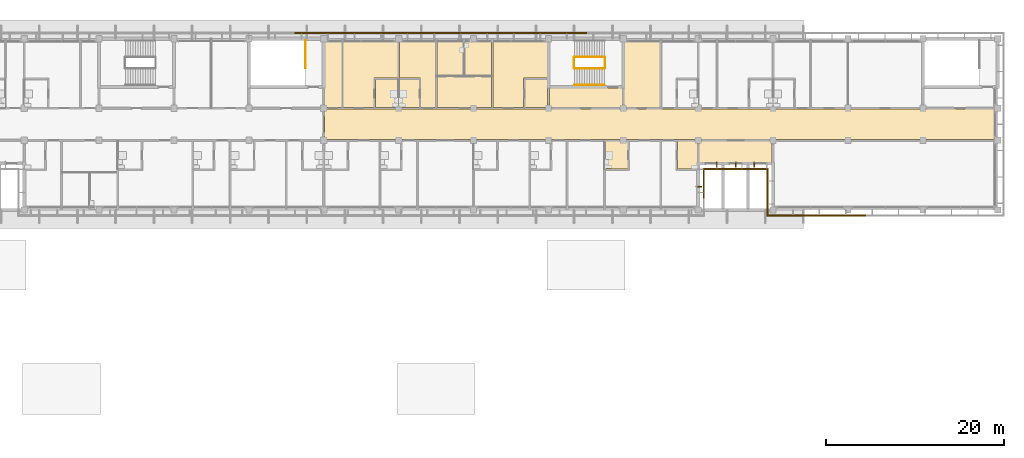
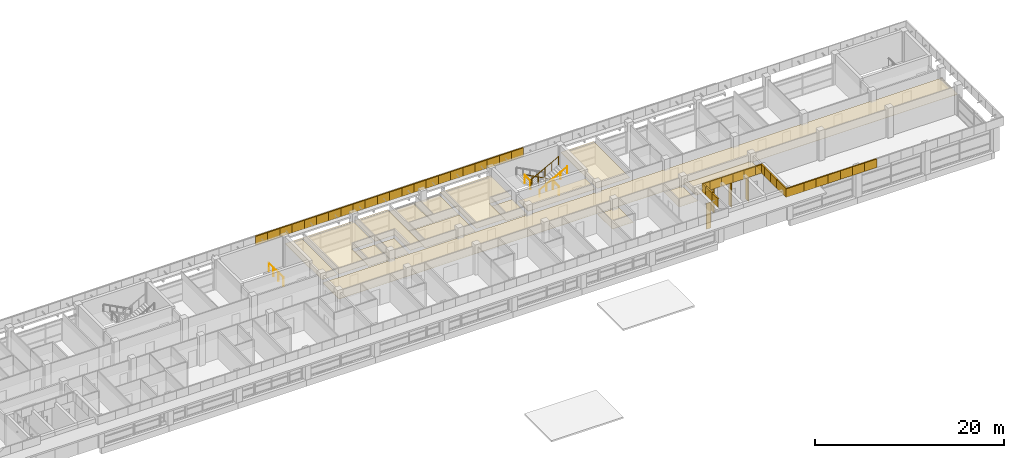
# One storey, part 34 of 36: 58 coverings, 6 railings, 4 shading devices.
"""IFC4 building model written with IfcOpenShell, lengths in metres."""

import ifcopenshell
import ifcopenshell.guid

model = None  # the IFC model being written
_history = None  # IfcOwnerHistory: only IFC2X3 demands one
_inside = {}  # id of a spatial element -> (the spatial element, [elements in it])
_under = {}  # id of a project, library or spatial element -> (it, [spatial elements below it])
_declared = {}  # id of a project -> (the project, [libraries it declares])
_typed = {}  # id of a type object -> (the type object, [elements of that type])
_made_of = {}  # id of a material, layer set ... -> (it, [elements and type objects made of it])


def new_model(schema):
    """Start an empty IFC model of exactly this schema.

    Asked for "IFC4X3", IfcOpenShell would pick the latest addendum, in which some entities
    have other attributes; the version numbers below select the first issue.
    IFC2X3 requires an IfcOwnerHistory on every rooted entity: one is made here for all.
    """
    global model, _history
    if schema == "IFC4X3":
        model = ifcopenshell.file(schema_version=(4, 3, 0, 0))
    else:
        model = ifcopenshell.file(schema=schema)
    _inside.clear()
    _under.clear()
    _declared.clear()
    _typed.clear()
    _made_of.clear()
    _history = None
    if model.schema == "IFC2X3":
        org = make("IfcOrganization", Name="unknown")
        user = make(
            "IfcPersonAndOrganization",
            ThePerson=make("IfcPerson", FamilyName="unknown"),
            TheOrganization=org,
        )
        app = make(
            "IfcApplication",
            ApplicationDeveloper=org,
            Version="unknown",
            ApplicationFullName="unknown",
            ApplicationIdentifier="unknown",
        )
        _history = make(
            "IfcOwnerHistory",
            OwningUser=user,
            OwningApplication=app,
            ChangeAction="ADDED",
            CreationDate=0,
        )
    return model


def make(cls, **values):
    """One entity of the class cls with the attributes given. An attribute that is None is left unset."""
    return model.create_entity(
        cls, **{name: value for name, value in values.items() if value is not None}
    )


def rooted(cls, **values):
    """An entity with a GlobalId (a new one), such as an element, a storey or a relation."""
    return make(cls, GlobalId=ifcopenshell.guid.new(), OwnerHistory=_history, **values)


def si_unit(unit_type, name, prefix=None):
    """IfcSIUnit, for example si_unit("LENGTHUNIT", "METRE", prefix="MILLI")."""
    return make("IfcSIUnit", UnitType=unit_type, Prefix=prefix, Name=name)


def assignment(units):
    """IfcUnitAssignment: the units of a project."""
    return None if units is None else make("IfcUnitAssignment", Units=units)


def point(xyz):
    """IfcCartesianPoint."""
    return None if xyz is None else make("IfcCartesianPoint", Coordinates=xyz)


def direction(xyz):
    """IfcDirection."""
    return None if xyz is None else make("IfcDirection", DirectionRatios=xyz)


def frame(location, z_axis=None, x_axis=None):
    """IfcAxis2Placement3D, a coordinate frame: its origin and axes. An axis left out is left unset."""
    return make(
        "IfcAxis2Placement3D",
        Location=point(location),
        Axis=direction(z_axis),
        RefDirection=direction(x_axis),
    )


def frame_2d(location, x_axis=None):
    """IfcAxis2Placement2D, a coordinate frame in the plane: its origin and x axis."""
    return make(
        "IfcAxis2Placement2D", Location=point(location), RefDirection=direction(x_axis)
    )


def origin():
    """The frame at (0, 0, 0) with its axes left unset."""
    return frame((0.0, 0.0, 0.0))


def origin_2d():
    """The frame at (0, 0) in the plane with its x axis left unset."""
    return frame_2d((0.0, 0.0))


def place(relative_to, where):
    """IfcLocalPlacement: puts the frame where relative to a parent placement (None: the world)."""
    return make(
        "IfcLocalPlacement", PlacementRelTo=relative_to, RelativePlacement=where
    )


def context(
    kind, dimensions, precision=None, world=None, true_north=None, identifier=None
):
    """IfcGeometricRepresentationContext, for example the 3D "Model" context."""
    return make(
        "IfcGeometricRepresentationContext",
        ContextIdentifier=identifier,
        ContextType=kind,
        CoordinateSpaceDimension=dimensions,
        Precision=precision,
        WorldCoordinateSystem=world,
        TrueNorth=true_north,
    )


def subcontext(parent, identifier, kind, view, scale=None):
    """IfcGeometricRepresentationSubContext, for example "Body" below "Model"."""
    return make(
        "IfcGeometricRepresentationSubContext",
        ContextIdentifier=identifier,
        ContextType=kind,
        ParentContext=parent,
        TargetScale=scale,
        TargetView=view,
    )


def project(units=None, contexts=None):
    """IfcProject with its units and contexts."""
    return rooted(
        "IfcProject",
        Name="project",
        RepresentationContexts=contexts,
        UnitsInContext=assignment(units),
    )


def spatial(cls, under=None, at=None, **own):
    """A site, building, storey or space (cls), placed at a placement, below another one or the project."""
    s = rooted(cls, ObjectPlacement=at, **own)
    if under is not None:
        _under.setdefault(under.id(), (under, []))[1].append(s)
    return s


def polyline(points):
    """IfcPolyline through the points."""
    return make("IfcPolyline", Points=[point(p) for p in points])


def profile(cls, at=None, kind="AREA", **sizes):
    """A parametric profile (cls). Its sizes go by their IFC names, for example OverallWidth=200.0."""
    return make(cls, ProfileType=kind, Position=at, **sizes)


def rectangle(**sizes):
    """IfcRectangleProfileDef."""
    return profile("IfcRectangleProfileDef", **sizes)


def circle(**sizes):
    """IfcCircleProfileDef."""
    return profile("IfcCircleProfileDef", **sizes)


def outline(outer, holes=None, kind="AREA"):
    """IfcArbitraryClosedProfileDef: a profile drawn as a closed curve; with holes, ...WithVoids."""
    if holes is None:
        return make("IfcArbitraryClosedProfileDef", ProfileType=kind, OuterCurve=outer)
    return make(
        "IfcArbitraryProfileDefWithVoids",
        ProfileType=kind,
        OuterCurve=outer,
        InnerCurves=holes,
    )


def extrude(swept, where, along, depth):
    """IfcExtrudedAreaSolid: the profile swept, set in the frame where, extruded along a direction by depth."""
    return make(
        "IfcExtrudedAreaSolid",
        SweptArea=swept,
        Position=where,
        ExtrudedDirection=direction(along),
        Depth=depth,
    )


def shape(context_of_items, identifier, shape_type, items):
    """IfcShapeRepresentation: the items that make up one representation, for example the "Body"."""
    return make(
        "IfcShapeRepresentation",
        ContextOfItems=context_of_items,
        RepresentationIdentifier=identifier,
        RepresentationType=shape_type,
        Items=items,
    )


def material(Name=None, Category=None):
    """IfcMaterial."""
    return make("IfcMaterial", Name=Name, Category=Category)


def layer(
    of_material, thickness, ventilated=None, Name=None, Category=None, Priority=None
):
    """IfcMaterialLayer: one layer of a wall or slab, of a material (None: an air gap)."""
    return make(
        "IfcMaterialLayer",
        Material=of_material,
        LayerThickness=thickness,
        IsVentilated=ventilated,
        Name=Name,
        Category=Category,
        Priority=Priority,
    )


def layer_set(layers, Name=None):
    """IfcMaterialLayerSet."""
    return make("IfcMaterialLayerSet", MaterialLayers=layers, LayerSetName=Name)


def material_profile(
    of_material, cross_section, Name=None, Category=None, Priority=None
):
    """IfcMaterialProfile: a cross section and its material."""
    return make(
        "IfcMaterialProfile",
        Name=Name,
        Material=of_material,
        Profile=cross_section,
        Priority=Priority,
        Category=Category,
    )


def profile_set(profiles, Name=None, composite=None):
    """IfcMaterialProfileSet."""
    return make(
        "IfcMaterialProfileSet",
        Name=Name,
        MaterialProfiles=profiles,
        CompositeProfile=composite,
    )


def made_of(thing, what):
    """Note that an element or type object is made of a material, layer set ...; save() writes the relation."""
    if what is not None:
        _made_of.setdefault(what.id(), (what, []))[1].append(thing)
    return thing


def type_object(cls, material=None, **own):
    """A type object (cls), such as IfcWallType, which elements share."""
    return made_of(rooted(cls, **own), material)


def element(
    cls,
    number,
    at=None,
    inside=None,
    cuts=None,
    type_object=None,
    material=None,
    context=None,
    identifier="Body",
    shape_type=None,
    held_by="IfcProductDefinitionShape",
    body=None,
    shapes=None,
    **own,
):
    """One element of the class cls, such as IfcWall. Its Tag is "e" and its number.

    at: its placement. inside: the storey or other place that contains it. cuts: it is an
    opening in that element (IfcRelVoidsElement). A single representation is given by context,
    identifier, shape_type and body (its items); several are given by shapes. held_by: the class
    of the entity that holds the representations. save() writes the other relations.
    """
    e = rooted(cls, Tag="e%d" % number, ObjectPlacement=at, **own)
    if body is not None:
        shapes = [shape(context, identifier, shape_type, body)]
    if shapes is not None:
        e.Representation = make(held_by, Representations=shapes)
    if inside is not None:
        _inside.setdefault(inside.id(), (inside, []))[1].append(e)
    if cuts is not None:
        rooted(
            "IfcRelVoidsElement", RelatingBuildingElement=cuts, RelatedOpeningElement=e
        )
    if type_object is not None:
        _typed.setdefault(type_object.id(), (type_object, []))[1].append(e)
    return made_of(e, material)


def aggregate(whole, parts):
    """IfcRelAggregates: a whole, such as a stair, and the parts it consists of."""
    return rooted("IfcRelAggregates", RelatingObject=whole, RelatedObjects=parts)


def save(model, path):
    """Write the relations noted so far, then the file.

    IfcRelAggregates (storeys below a building ...), IfcRelContainedInSpatialStructure (elements
    in a storey), IfcRelDefinesByType, IfcRelAssociatesMaterial and IfcRelDeclares: one each for
    every whole, place, type object, material and project.
    """
    for whole, parts in _under.values():
        aggregate(whole, parts)
    for where, things in _inside.values():
        rooted(
            "IfcRelContainedInSpatialStructure",
            RelatedElements=things,
            RelatingStructure=where,
        )
    for kind, things in _typed.values():
        rooted("IfcRelDefinesByType", RelatedObjects=things, RelatingType=kind)
    for what, things in _made_of.values():
        rooted("IfcRelAssociatesMaterial", RelatedObjects=things, RelatingMaterial=what)
    for by, libraries in _declared.values():
        rooted("IfcRelDeclares", RelatingContext=by, RelatedDefinitions=libraries)
    model.write(path)


model = new_model("IFC4")

# Units and contexts
model_context = context("Model", 3, precision=1e-05, world=origin(), true_north=direction((0.0, 1.0)))
body_context = subcontext(model_context, "Body", "Model", "MODEL_VIEW")
ifc_project = project(units=[si_unit("LENGTHUNIT", "METRE"), si_unit("AREAUNIT", "SQUARE_METRE"), si_unit("VOLUMEUNIT", "CUBIC_METRE"), si_unit("PLANEANGLEUNIT", "RADIAN"), si_unit("MASSUNIT", "GRAM", prefix="KILO")], contexts=[model_context])

# Site, building, storey
site_placement = place(None, origin())
site = spatial("IfcSite", under=ifc_project, at=site_placement, CompositionType="ELEMENT")
building_placement = place(site_placement, origin())
building = spatial("IfcBuilding", under=site, at=building_placement, Name="Bougainvillea Quay General Hospital", CompositionType="ELEMENT")
storey_placement = place(building_placement, frame((0.0, 0.0, 32.699951171875)))
storey = spatial("IfcBuildingStorey", under=building, at=storey_placement, Name="L07", CompositionType="ELEMENT", Elevation=32.699951171875)

# Coverings
ifc_material_1 = material(Name="Powder-coated aluminium fascia, white", Category="aluminium")
ifc_layer_1 = layer(ifc_material_1, 0.14990234375)
ifc_layer_set_1 = layer_set([ifc_layer_1], Name="Powder-coated aluminium fascia, white")
covering_type_1 = type_object("IfcCoveringType", Name="Aluminium fascia band white 150x1100", PredefinedType="CLADDING", material=ifc_layer_set_1)
for number, where, z_axis, x_axis, name in (
    (1, (138.6875, 160.14990234375, 3.35009765625), (0.0, 0.0, 1.0), (-1.0, 0.0, 0.0), "Fascia band white e0 32"),
    (2, (137.199951171875, 160.14990234375, 3.35009765625), (0.0, 0.0, 1.0), (-1.0, 0.0, 0.0), "Fascia band white e0 33"),
):
    element("IfcCovering", number, at=place(storey_placement, frame(where, z_axis=z_axis, x_axis=x_axis)), inside=storey, type_object=covering_type_1, Name=name, PredefinedType="CLADDING", context=body_context, shape_type="SweptSolid", body=[
        extrude(outline(polyline([(0.0, 0.0), (1.487548828125, 0.0), (1.487548828125, -0.150146484375), (0.0, -0.150146484375), (0.0, 0.0)])), origin(), (0.0, 0.0, 1.0), 1.10009765625),
    ])
covering_1_placement = place(storey_placement, frame((135.71240234375, 160.14990234375, 3.35009765625), z_axis=(0.0, 0.0, 1.0), x_axis=(-1.0, 0.0, 0.0)))
element("IfcCovering", 3, at=covering_1_placement, inside=storey, type_object=covering_type_1, Name="Fascia band white e0 34", PredefinedType="CLADDING", context=body_context, shape_type="SweptSolid", body=[
    extrude(outline(polyline([(0.0, 0.0), (1.4873046875, 0.0), (1.4873046875, -0.150146484375), (0.0, -0.150146484375), (0.0, 0.0)])), origin(), (0.0, 0.0, 1.0), 1.10009765625),
])
for number, where, z_axis, x_axis, name in (
    (4, (134.22509765625, 160.14990234375, 3.35009765625), (0.0, 0.0, 1.0), (-1.0, 0.0, 0.0), "Fascia band white e0 35"),
    (5, (132.737548828125, 160.14990234375, 3.35009765625), (0.0, 0.0, 1.0), (-1.0, 0.0, 0.0), "Fascia band white e0 36"),
    (6, (131.25, 160.14990234375, 3.35009765625), (0.0, 0.0, 1.0), (-1.0, 0.0, 0.0), "Fascia band white e0 37"),
    (7, (129.762451171875, 160.14990234375, 3.35009765625), (0.0, 0.0, 1.0), (-1.0, 0.0, 0.0), "Fascia band white e0 38"),
):
    element("IfcCovering", number, at=place(storey_placement, frame(where, z_axis=z_axis, x_axis=x_axis)), inside=storey, type_object=covering_type_1, Name=name, PredefinedType="CLADDING", context=body_context, shape_type="SweptSolid", body=[
        extrude(outline(polyline([(0.0, 0.0), (1.487548828125, 0.0), (1.487548828125, -0.150146484375), (0.0, -0.150146484375), (0.0, 0.0)])), origin(), (0.0, 0.0, 1.0), 1.10009765625),
    ])
covering_2_placement = place(storey_placement, frame((128.27490234375, 160.14990234375, 3.35009765625), z_axis=(0.0, 0.0, 1.0), x_axis=(-1.0, 0.0, 0.0)))
element("IfcCovering", 8, at=covering_2_placement, inside=storey, type_object=covering_type_1, Name="Fascia band white e0 39", PredefinedType="CLADDING", context=body_context, shape_type="SweptSolid", body=[
    extrude(outline(polyline([(0.0, 0.0), (1.4873046875, 0.0), (1.4873046875, -0.150146484375), (0.0, -0.150146484375), (0.0, 0.0)])), origin(), (0.0, 0.0, 1.0), 1.10009765625),
])
for number, where, z_axis, x_axis, name in (
    (9, (126.78759765625, 160.14990234375, 3.35009765625), (0.0, 0.0, 1.0), (-1.0, 0.0, 0.0), "Fascia band white e0 40"),
    (10, (125.300048828125, 160.14990234375, 3.35009765625), (0.0, 0.0, 1.0), (-1.0, 0.0, 0.0), "Fascia band white e0 41"),
    (11, (123.8125, 160.14990234375, 3.35009765625), (0.0, 0.0, 1.0), (-1.0, 0.0, 0.0), "Fascia band white e0 42"),
    (12, (122.324951171875, 160.14990234375, 3.35009765625), (0.0, 0.0, 1.0), (-1.0, 0.0, 0.0), "Fascia band white e0 43"),
):
    element("IfcCovering", number, at=place(storey_placement, frame(where, z_axis=z_axis, x_axis=x_axis)), inside=storey, type_object=covering_type_1, Name=name, PredefinedType="CLADDING", context=body_context, shape_type="SweptSolid", body=[
        extrude(outline(polyline([(0.0, 0.0), (1.487548828125, 0.0), (1.487548828125, -0.150146484375), (0.0, -0.150146484375), (0.0, 0.0)])), origin(), (0.0, 0.0, 1.0), 1.10009765625),
    ])
covering_3_placement = place(storey_placement, frame((120.83740234375, 160.14990234375, 3.35009765625), z_axis=(0.0, 0.0, 1.0), x_axis=(-1.0, 0.0, 0.0)))
element("IfcCovering", 13, at=covering_3_placement, inside=storey, type_object=covering_type_1, Name="Fascia band white e0 44", PredefinedType="CLADDING", context=body_context, shape_type="SweptSolid", body=[
    extrude(outline(polyline([(0.0, 0.0), (1.4873046875, 0.0), (1.4873046875, -0.150146484375), (0.0, -0.150146484375), (0.0, 0.0)])), origin(), (0.0, 0.0, 1.0), 1.10009765625),
])
for number, where, z_axis, x_axis, name in (
    (14, (119.35009765625, 160.14990234375, 3.35009765625), (0.0, 0.0, 1.0), (-1.0, 0.0, 0.0), "Fascia band white e0 45"),
    (15, (117.862548828125, 160.14990234375, 3.35009765625), (0.0, 0.0, 1.0), (-1.0, 0.0, 0.0), "Fascia band white e0 46"),
    (16, (116.375, 160.14990234375, 3.35009765625), (0.0, 0.0, 1.0), (-1.0, 0.0, 0.0), "Fascia band white e0 47"),
    (17, (114.887451171875, 160.14990234375, 3.35009765625), (0.0, 0.0, 1.0), (-1.0, 0.0, 0.0), "Fascia band white e0 48"),
):
    element("IfcCovering", number, at=place(storey_placement, frame(where, z_axis=z_axis, x_axis=x_axis)), inside=storey, type_object=covering_type_1, Name=name, PredefinedType="CLADDING", context=body_context, shape_type="SweptSolid", body=[
        extrude(outline(polyline([(0.0, 0.0), (1.487548828125, 0.0), (1.487548828125, -0.150146484375), (0.0, -0.150146484375), (0.0, 0.0)])), origin(), (0.0, 0.0, 1.0), 1.10009765625),
    ])
covering_4_placement = place(storey_placement, frame((113.39990234375, 160.14990234375, 3.35009765625), z_axis=(0.0, 0.0, 1.0), x_axis=(-1.0, 0.0, 0.0)))
element("IfcCovering", 18, at=covering_4_placement, inside=storey, type_object=covering_type_1, Name="Fascia band white e0 49", PredefinedType="CLADDING", context=body_context, shape_type="SweptSolid", body=[
    extrude(outline(polyline([(0.0, 0.0), (1.4873046875, 0.0), (1.4873046875, -0.150146484375), (0.0, -0.150146484375), (0.0, 0.0)])), origin(), (0.0, 0.0, 1.0), 1.10009765625),
])
for number, where, z_axis, x_axis, name in (
    (19, (111.91259765625, 160.14990234375, 3.35009765625), (0.0, 0.0, 1.0), (-1.0, 0.0, 0.0), "Fascia band white e0 50"),
    (20, (110.425048828125, 160.14990234375, 3.35009765625), (0.0, 0.0, 1.0), (-1.0, 0.0, 0.0), "Fascia band white e0 51"),
    (21, (108.9375, 160.14990234375, 3.35009765625), (0.0, 0.0, 1.0), (-1.0, 0.0, 0.0), "Fascia band white e0 52"),
    (22, (107.449951171875, 160.14990234375, 3.35009765625), (0.0, 0.0, 1.0), (-1.0, 0.0, 0.0), "Fascia band white e0 53"),
):
    element("IfcCovering", number, at=place(storey_placement, frame(where, z_axis=z_axis, x_axis=x_axis)), inside=storey, type_object=covering_type_1, Name=name, PredefinedType="CLADDING", context=body_context, shape_type="SweptSolid", body=[
        extrude(outline(polyline([(0.0, 0.0), (1.487548828125, 0.0), (1.487548828125, -0.150146484375), (0.0, -0.150146484375), (0.0, 0.0)])), origin(), (0.0, 0.0, 1.0), 1.10009765625),
    ])
for number, where, z_axis, x_axis, name in (
    (23, (151.75, 141.699951171875, 3.35009765625), (0.0, 0.0, 1.0), (0.0, 1.0, 0.0), "Fascia band white e0 193"),
    (24, (151.75, 143.0, 3.35009765625), (0.0, 0.0, 1.0), (0.0, 1.0, 0.0), "Fascia band white e0 194"),
):
    element("IfcCovering", number, at=place(storey_placement, frame(where, z_axis=z_axis, x_axis=x_axis)), inside=storey, type_object=covering_type_1, Name=name, PredefinedType="CLADDING", context=body_context, shape_type="SweptSolid", body=[
        extrude(outline(polyline([(0.0, 0.0), (1.300048828125, 0.0), (1.300048828125, -0.14990234375), (0.0, -0.14990234375), (0.0, 0.0)])), origin(), (0.0, 0.0, 1.0), 1.10009765625),
    ])
covering_5_placement = place(storey_placement, frame((151.75, 144.300048828125, 3.35009765625), z_axis=(0.0, 0.0, 1.0), x_axis=(0.0, 1.0, 0.0)))
element("IfcCovering", 25, at=covering_5_placement, inside=storey, type_object=covering_type_1, Name="Fascia band white e0 195", PredefinedType="CLADDING", context=body_context, shape_type="SweptSolid", body=[
    extrude(outline(polyline([(0.0, 0.0), (0.75, 0.0), (0.599853515625, -0.14990234375), (0.0, -0.14990234375), (0.0, 0.0)])), origin(), (0.0, 0.0, 1.0), 1.10009765625),
])
covering_6_placement = place(storey_placement, frame((151.75, 145.050048828125, 3.35009765625), z_axis=(0.0, 0.0, 1.0), x_axis=(1.0, 0.0, 0.0)))
element("IfcCovering", 26, at=covering_6_placement, inside=storey, type_object=covering_type_1, Name="Fascia band white e0 196", PredefinedType="CLADDING", context=body_context, shape_type="SweptSolid", body=[
    extrude(outline(polyline([(0.0, 0.0), (0.85009765625, 0.0), (0.85009765625, -0.150146484375), (0.14990234375, -0.150146484375), (0.0, 0.0)])), origin(), (0.0, 0.0, 1.0), 1.10009765625),
])
for number, where, z_axis, x_axis, name in (
    (27, (152.60009765625, 145.050048828125, 3.35009765625), (0.0, 0.0, 1.0), (1.0, 0.0, 0.0), "Fascia band white e0 197"),
    (28, (154.0, 145.050048828125, 3.35009765625), (0.0, 0.0, 1.0), (1.0, 0.0, 0.0), "Fascia band white e0 198"),
):
    element("IfcCovering", number, at=place(storey_placement, frame(where, z_axis=z_axis, x_axis=x_axis)), inside=storey, type_object=covering_type_1, Name=name, PredefinedType="CLADDING", context=body_context, shape_type="SweptSolid", body=[
        extrude(outline(polyline([(0.0, 0.0), (1.39990234375, 0.0), (1.39990234375, -0.150146484375), (0.0, -0.150146484375), (0.0, 0.0)])), origin(), (0.0, 0.0, 1.0), 1.10009765625),
    ])
covering_7_placement = place(storey_placement, frame((155.39990234375, 145.050048828125, 3.35009765625), z_axis=(0.0, 0.0, 1.0), x_axis=(1.0, 0.0, 0.0)))
element("IfcCovering", 29, at=covering_7_placement, inside=storey, type_object=covering_type_1, Name="Fascia band white e0 199", PredefinedType="CLADDING", context=body_context, shape_type="SweptSolid", body=[
    extrude(outline(polyline([(0.0, 0.0), (1.400146484375, 0.0), (1.400146484375, -0.150146484375), (0.0, -0.150146484375), (0.0, 0.0)])), origin(), (0.0, 0.0, 1.0), 1.10009765625),
])
covering_8_placement = place(storey_placement, frame((156.800048828125, 145.050048828125, 3.35009765625), z_axis=(0.0, 0.0, 1.0), x_axis=(1.0, 0.0, 0.0)))
element("IfcCovering", 30, at=covering_8_placement, inside=storey, type_object=covering_type_1, Name="Fascia band white e0 200", PredefinedType="CLADDING", context=body_context, shape_type="SweptSolid", body=[
    extrude(outline(polyline([(0.0, 0.0), (1.39990234375, 0.0), (1.39990234375, -0.150146484375), (0.0, -0.150146484375), (0.0, 0.0)])), origin(), (0.0, 0.0, 1.0), 1.10009765625),
])
covering_9_placement = place(storey_placement, frame((158.199951171875, 145.050048828125, 3.35009765625), z_axis=(0.0, 0.0, 1.0), x_axis=(1.0, 0.0, 0.0)))
element("IfcCovering", 31, at=covering_9_placement, inside=storey, type_object=covering_type_1, Name="Fascia band white e0 201", PredefinedType="CLADDING", context=body_context, shape_type="SweptSolid", body=[
    extrude(outline(polyline([(0.0, 0.0), (0.85009765625, 0.0), (0.699951171875, -0.150146484375), (0.0, -0.150146484375), (0.0, 0.0)])), origin(), (0.0, 0.0, 1.0), 1.10009765625),
])
covering_10_placement = place(storey_placement, frame((159.050048828125, 145.050048828125, 3.35009765625), z_axis=(0.0, 0.0, 1.0), x_axis=(0.0, -1.0, 0.0)))
element("IfcCovering", 32, at=covering_10_placement, inside=storey, type_object=covering_type_1, Name="Fascia band white e0 202", PredefinedType="CLADDING", context=body_context, shape_type="SweptSolid", body=[
    extrude(outline(polyline([(0.0, 0.0), (0.75, 0.0), (0.75, -0.150146484375), (0.150146484375, -0.150146484375), (0.0, 0.0)])), origin(), (0.0, 0.0, 1.0), 1.10009765625),
])
for number, where, z_axis, x_axis, name in (
    (33, (159.050048828125, 144.300048828125, 3.35009765625), (0.0, 0.0, 1.0), (0.0, -1.0, 0.0), "Fascia band white e0 203"),
    (34, (159.050048828125, 143.0, 3.35009765625), (0.0, 0.0, 1.0), (0.0, -1.0, 0.0), "Fascia band white e0 204"),
):
    element("IfcCovering", number, at=place(storey_placement, frame(where, z_axis=z_axis, x_axis=x_axis)), inside=storey, type_object=covering_type_1, Name=name, PredefinedType="CLADDING", context=body_context, shape_type="SweptSolid", body=[
        extrude(outline(polyline([(0.0, 0.0), (1.300048828125, 0.0), (1.300048828125, -0.150146484375), (0.0, -0.150146484375), (0.0, 0.0)])), origin(), (0.0, 0.0, 1.0), 1.10009765625),
    ])
covering_11_placement = place(storey_placement, frame((159.050048828125, 141.699951171875, 3.35009765625), z_axis=(0.0, 0.0, 1.0), x_axis=(0.0, -1.0, 0.0)))
element("IfcCovering", 35, at=covering_11_placement, inside=storey, type_object=covering_type_1, Name="Fascia band white e0 205", PredefinedType="CLADDING", context=body_context, shape_type="SweptSolid", body=[
    extrude(outline(polyline([(0.0, 0.0), (1.849853515625, 0.0), (2.0, -0.150146484375), (0.0, -0.150146484375), (0.0, 0.0)])), origin(), (0.0, 0.0, 1.0), 1.10009765625),
])
covering_12_placement = place(storey_placement, frame((159.050048828125, 139.85009765625, 3.35009765625), z_axis=(0.0, 0.0, 1.0), x_axis=(1.0, 0.0, 0.0)))
element("IfcCovering", 36, at=covering_12_placement, inside=storey, type_object=covering_type_1, Name="Fascia band white e0 206", PredefinedType="CLADDING", context=body_context, shape_type="SweptSolid", body=[
    extrude(outline(polyline([(0.0, 0.0), (2.0322265625, 0.0), (2.0322265625, -0.150146484375), (-0.150146484375, -0.150146484375), (0.0, 0.0)])), origin(), (0.0, 0.0, 1.0), 1.10009765625),
])
for number, where, z_axis, x_axis, name in (
    (37, (161.082275390625, 139.85009765625, 3.35009765625), (0.0, 0.0, 1.0), (1.0, 0.0, 0.0), "Fascia band white e0 207"),
    (38, (162.564697265625, 139.85009765625, 3.35009765625), (0.0, 0.0, 1.0), (1.0, 0.0, 0.0), "Fascia band white e0 208"),
):
    element("IfcCovering", number, at=place(storey_placement, frame(where, z_axis=z_axis, x_axis=x_axis)), inside=storey, type_object=covering_type_1, Name=name, PredefinedType="CLADDING", context=body_context, shape_type="SweptSolid", body=[
        extrude(outline(polyline([(0.0, 0.0), (1.482421875, 0.0), (1.482421875, -0.150146484375), (0.0, -0.150146484375), (0.0, 0.0)])), origin(), (0.0, 0.0, 1.0), 1.10009765625),
    ])
covering_13_placement = place(storey_placement, frame((164.047119140625, 139.85009765625, 3.35009765625), z_axis=(0.0, 0.0, 1.0), x_axis=(1.0, 0.0, 0.0)))
element("IfcCovering", 39, at=covering_13_placement, inside=storey, type_object=covering_type_1, Name="Fascia band white e0 209", PredefinedType="CLADDING", context=body_context, shape_type="SweptSolid", body=[
    extrude(outline(polyline([(0.0, 0.0), (1.482177734375, 0.0), (1.482177734375, -0.150146484375), (0.0, -0.150146484375), (0.0, 0.0)])), origin(), (0.0, 0.0, 1.0), 1.10009765625),
])
for number, where, z_axis, x_axis, name in (
    (40, (165.529296875, 139.85009765625, 3.35009765625), (0.0, 0.0, 1.0), (1.0, 0.0, 0.0), "Fascia band white e0 210"),
    (41, (167.01171875, 139.85009765625, 3.35009765625), (0.0, 0.0, 1.0), (1.0, 0.0, 0.0), "Fascia band white e0 211"),
    (42, (168.494140625, 139.85009765625, 3.35009765625), (0.0, 0.0, 1.0), (1.0, 0.0, 0.0), "Fascia band white e0 212"),
):
    element("IfcCovering", number, at=place(storey_placement, frame(where, z_axis=z_axis, x_axis=x_axis)), inside=storey, type_object=covering_type_1, Name=name, PredefinedType="CLADDING", context=body_context, shape_type="SweptSolid", body=[
        extrude(outline(polyline([(0.0, 0.0), (1.482421875, 0.0), (1.482421875, -0.150146484375), (0.0, -0.150146484375), (0.0, 0.0)])), origin(), (0.0, 0.0, 1.0), 1.10009765625),
    ])

# Railings
ifc_material_2 = material(Name="Stainless steel 304 balustrade", Category="steel")
railing_type_1 = type_object("IfcRailingType", Name="Stair guard 1100", PredefinedType="GUARDRAIL", material=ifc_material_2)
railing_1_placement = place(storey_placement, frame((140.699951171875, 157.550048828125, 0.150146484375)))
element("IfcRailing", 43, at=railing_1_placement, inside=storey, type_object=railing_type_1, Name="L07 ST-A3 stair guard 1", PredefinedType="GUARDRAIL", context=body_context, shape_type="SweptSolid", body=[
    extrude(circle(Radius=0.02392578125, at=origin_2d()), frame((0.0, 0.0, 1.076171875), z_axis=(-0.881493300765, 0.0, 0.47219652763), x_axis=(0.0, -1.0, 0.0)), (0.0, 0.0, 1.0), 3.8115234375),
    extrude(circle(Radius=0.02099609375, at=origin_2d()), origin(), (0.0, 0.0, 1.0), 1.052001953125),
    extrude(circle(Radius=0.02099609375, at=origin_2d()), frame((-0.83984375, 0.0, 0.449951171875)), (0.0, 0.0, 1.0), 1.052001953125),
    extrude(circle(Radius=0.02099609375, at=origin_2d()), frame((-1.679931640625, 0.0, 0.89990234375)), (0.0, 0.0, 1.0), 1.052001953125),
    extrude(circle(Radius=0.02099609375, at=origin_2d()), frame((-2.52001953125, 0.0, 1.349853515625)), (0.0, 0.0, 1.0), 1.052001953125),
    extrude(circle(Radius=0.02099609375, at=origin_2d()), frame((-3.35986328125, 0.0, 1.7998046875)), (0.0, 0.0, 1.0), 1.052001953125),
])
railing_2_placement = place(storey_placement, frame((137.2900390625, 157.5, 1.949951171875)))
element("IfcRailing", 44, at=railing_2_placement, inside=storey, type_object=railing_type_1, Name="L07 ST-A3 stair guard 2", PredefinedType="GUARDRAIL", context=body_context, shape_type="SweptSolid", body=[
    extrude(circle(Radius=0.02392578125, at=origin_2d()), frame((0.0, 0.0, 1.076171875), z_axis=(0.0, -1.0, 0.0), x_axis=(1.0, 0.0, 0.0)), (0.0, 0.0, 1.0), 1.199951171875),
    extrude(circle(Radius=0.02099609375, at=origin_2d()), origin(), (0.0, 0.0, 1.0), 1.052001953125),
    extrude(circle(Radius=0.02099609375, at=origin_2d()), frame((0.0, -1.199951171875, 0.0)), (0.0, 0.0, 1.0), 1.052001953125),
])
railing_3_placement = place(storey_placement, frame((137.340087890625, 156.25, 2.10009765625)))
element("IfcRailing", 45, at=railing_3_placement, inside=storey, type_object=railing_type_1, Name="L07 ST-A3 stair guard 3", PredefinedType="GUARDRAIL", context=body_context, shape_type="SweptSolid", body=[
    extrude(circle(Radius=0.02392578125, at=origin_2d()), frame((0.0, 0.0, 1.076171875), z_axis=(0.881466638993, 0.0, 0.472246296272), x_axis=(0.0, 1.0, 0.0)), (0.0, 0.0, 1.0), 3.811767578125),
    extrude(circle(Radius=0.02099609375, at=origin_2d()), origin(), (0.0, 0.0, 1.0), 1.052001953125),
    extrude(circle(Radius=0.02099609375, at=origin_2d()), frame((0.83984375, 0.0, 0.449951171875)), (0.0, 0.0, 1.0), 1.052001953125),
    extrude(circle(Radius=0.02099609375, at=origin_2d()), frame((1.679931640625, 0.0, 0.89990234375)), (0.0, 0.0, 1.0), 1.052001953125),
    extrude(circle(Radius=0.02099609375, at=origin_2d()), frame((2.52001953125, 0.0, 1.35009765625)), (0.0, 0.0, 1.0), 1.052001953125),
    extrude(circle(Radius=0.02099609375, at=origin_2d()), frame((3.35986328125, 0.0, 1.800048828125)), (0.0, 0.0, 1.0), 1.052001953125),
])
railing_4_placement = place(storey_placement, frame((140.75, 157.5, 0.0)))
element("IfcRailing", 46, at=railing_4_placement, inside=storey, type_object=railing_type_1, Name="L07 ST-A3 stair guard 4", PredefinedType="GUARDRAIL", context=body_context, shape_type="SweptSolid", body=[
    extrude(circle(Radius=0.02392578125, at=origin_2d()), frame((0.0, 0.0, 1.076171875), z_axis=(0.0, -1.0, 0.0), x_axis=(1.0, 0.0, 0.0)), (0.0, 0.0, 1.0), 1.199951171875),
    extrude(circle(Radius=0.02099609375, at=origin_2d()), origin(), (0.0, 0.0, 1.0), 1.052001953125),
    extrude(circle(Radius=0.02099609375, at=origin_2d()), frame((0.0, -1.199951171875, 0.0)), (0.0, 0.0, 1.0), 1.052001953125),
])
railing_5_placement = place(storey_placement, frame((107.14990234375, 159.425048828125, 0.0)))
element("IfcRailing", 47, at=railing_5_placement, inside=storey, type_object=railing_type_1, Name="L07 ST-A5 top well guard 1", PredefinedType="GUARDRAIL", context=body_context, shape_type="SweptSolid", body=[
    extrude(circle(Radius=0.02392578125, at=origin_2d()), frame((0.0, 0.0, 1.076171875), z_axis=(0.0, -1.0, 0.0), x_axis=(1.0, 0.0, 0.0)), (0.0, 0.0, 1.0), 3.125),
    extrude(circle(Radius=0.02099609375, at=origin_2d()), origin(), (0.0, 0.0, 1.0), 1.052001953125),
    extrude(circle(Radius=0.02099609375, at=origin_2d()), frame((0.0, -1.041748046875, 0.0)), (0.0, 0.0, 1.0), 1.052001953125),
    extrude(circle(Radius=0.02099609375, at=origin_2d()), frame((0.0, -2.083251953125, 0.0)), (0.0, 0.0, 1.0), 1.052001953125),
    extrude(circle(Radius=0.02099609375, at=origin_2d()), frame((0.0, -3.125, 0.0)), (0.0, 0.0, 1.0), 1.052001953125),
])
ifc_material_3 = material(Name="Stainless steel 304 handrail", Category="steel")
railing_type_2 = type_object("IfcRailingType", Name="Stair handrail 900", PredefinedType="HANDRAIL", material=ifc_material_3)
railing_6_placement = place(storey_placement, frame((137.340087890625, 154.425048828125, 2.10009765625)))
element("IfcRailing", 48, at=railing_6_placement, inside=storey, type_object=railing_type_2, Name="L07 ST-A3 stair handrail 2", PredefinedType="HANDRAIL", context=body_context, shape_type="SweptSolid", body=[
    extrude(circle(Radius=0.02392578125, at=origin_2d()), frame((0.0, 0.0, 0.8759765625), z_axis=(0.881466638993, 0.0, 0.472246296272), x_axis=(0.0, 1.0, 0.0)), (0.0, 0.0, 1.0), 3.811767578125),
    extrude(circle(Radius=0.02099609375, at=origin_2d()), origin(), (0.0, 0.0, 1.0), 0.851806640625),
    extrude(circle(Radius=0.02099609375, at=origin_2d()), frame((0.83984375, 0.0, 0.449951171875)), (0.0, 0.0, 1.0), 0.851806640625),
    extrude(circle(Radius=0.02099609375, at=origin_2d()), frame((1.679931640625, 0.0, 0.89990234375)), (0.0, 0.0, 1.0), 0.851806640625),
    extrude(circle(Radius=0.02099609375, at=origin_2d()), frame((2.52001953125, 0.0, 1.35009765625)), (0.0, 0.0, 1.0), 0.851806640625),
    extrude(circle(Radius=0.02099609375, at=origin_2d()), frame((3.35986328125, 0.0, 1.800048828125)), (0.0, 0.0, 1.0), 0.851806640625),
])

# Coverings
ifc_material_4 = material(Name="Mineral fibre ceiling tile")
ifc_layer_2 = layer(ifc_material_4, 0.030029296875)
ifc_layer_set_2 = layer_set([ifc_layer_2], Name="Mineral fibre ceiling tile")
covering_type_2 = type_object("IfcCoveringType", Name="Suspended ceiling mineral fibre tile", PredefinedType="CEILING", material=ifc_layer_set_2)
covering_14_placement = place(storey_placement, frame((0.0, 0.0, 2.699951171875)))
element("IfcCovering", 49, at=covering_14_placement, inside=storey, type_object=covering_type_2, Name="Ceiling Lift Lobby LB-A2 (Fire-fighting)", PredefinedType="CEILING", context=body_context, shape_type="SweptSolid", body=[
    extrude(outline(polyline([(159.5, 145.60009765625), (159.5, 148.10009765625), (151.300048828125, 148.10009765625), (151.300048828125, 145.60009765625), (159.5, 145.60009765625)])), origin(), (0.0, 0.0, 1.0), 0.030029296875),
])
covering_15_placement = place(storey_placement, frame((0.0, 0.0, 2.699951171875)))
element("IfcCovering", 50, at=covering_15_placement, inside=storey, type_object=covering_type_2, Name="Ceiling Refuge Room RR-A2-L07", PredefinedType="CEILING", context=body_context, shape_type="SweptSolid", body=[
    extrude(outline(polyline([(142.89990234375, 159.60009765625), (142.89990234375, 151.89990234375), (146.89990234375, 151.89990234375), (146.89990234375, 159.60009765625), (142.89990234375, 159.60009765625)])), origin(), (0.0, 0.0, 1.0), 0.030029296875),
])
covering_16_placement = place(storey_placement, frame((0.0, 0.0, 2.699951171875)))
element("IfcCovering", 51, at=covering_16_placement, inside=storey, type_object=covering_type_2, Name="Ceiling Smoke-proof Vestibule ST-A3", PredefinedType="CEILING", context=body_context, shape_type="SweptSolid", body=[
    extrude(outline(polyline([(134.5, 151.89990234375), (142.699951171875, 151.89990234375), (142.699951171875, 154.10009765625), (134.5, 154.10009765625), (134.5, 151.89990234375)])), origin(), (0.0, 0.0, 1.0), 0.030029296875),
])
covering_17_placement = place(storey_placement, frame((0.0, 0.0, 2.400146484375)))
element("IfcCovering", 52, at=covering_17_placement, inside=storey, type_object=covering_type_2, Name="Ceiling En-suite 07A26", PredefinedType="CEILING", context=body_context, shape_type="SweptSolid", body=[
    extrude(outline(polyline([(140.75, 144.97509765625), (143.324951171875, 144.97509765625), (143.324951171875, 148.125), (140.75, 148.125), (140.75, 144.97509765625)])), origin(), (0.0, 0.0, 1.0), 0.02978515625),
])
covering_18_placement = place(storey_placement, frame((0.0, 0.0, 2.400146484375)))
element("IfcCovering", 53, at=covering_18_placement, inside=storey, type_object=covering_type_2, Name="Ceiling En-suite 07A27", PredefinedType="CEILING", context=body_context, shape_type="SweptSolid", body=[
    extrude(outline(polyline([(151.199951171875, 145.60009765625), (151.10009765625, 145.60009765625), (151.10009765625, 148.125), (148.875, 148.125), (148.875, 144.97509765625), (151.199951171875, 144.97509765625), (151.199951171875, 145.60009765625)])), origin(), (0.0, 0.0, 1.0), 0.02978515625),
])
covering_19_placement = place(storey_placement, frame((0.0, 0.0, 2.699951171875)))
element("IfcCovering", 54, at=covering_19_placement, inside=storey, type_object=covering_type_2, Name="Ceiling Dirty Utility and Sluice Room 07A28", PredefinedType="CEILING", context=body_context, shape_type="SweptSolid", body=[
    extrude(outline(polyline([(109.25, 159.60009765625), (109.25, 154.300048828125), (109.300048828125, 154.300048828125), (109.300048828125, 151.875), (111.22509765625, 151.875), (111.22509765625, 159.60009765625), (109.25, 159.60009765625)])), origin(), (0.0, 0.0, 1.0), 0.030029296875),
])
covering_20_placement = place(storey_placement, frame((0.0, 0.0, 2.699951171875)))
element("IfcCovering", 55, at=covering_20_placement, inside=storey, type_object=covering_type_2, Name="Ceiling Private Patient Suite 07A29", PredefinedType="CEILING", context=body_context, shape_type="SweptSolid", body=[
    extrude(outline(polyline([(111.375, 159.60009765625), (111.375, 151.875), (114.824951171875, 151.875), (114.824951171875, 155.175048828125), (117.52490234375, 155.175048828125), (117.52490234375, 159.60009765625), (111.375, 159.60009765625)])), origin(), (0.0, 0.0, 1.0), 0.030029296875),
])
covering_21_placement = place(storey_placement, frame((0.0, 0.0, 2.400146484375)))
element("IfcCovering", 56, at=covering_21_placement, inside=storey, type_object=covering_type_2, Name="Ceiling En-suite 07A29", PredefinedType="CEILING", context=body_context, shape_type="SweptSolid", body=[
    extrude(outline(polyline([(114.97509765625, 155.02490234375), (114.97509765625, 151.875), (117.550048828125, 151.875), (117.550048828125, 155.02490234375), (114.97509765625, 155.02490234375)])), origin(), (0.0, 0.0, 1.0), 0.02978515625),
])
covering_22_placement = place(storey_placement, frame((0.0, 0.0, 2.699951171875)))
element("IfcCovering", 57, at=covering_22_placement, inside=storey, type_object=covering_type_2, Name="Ceiling Private Patient Room 07A30", PredefinedType="CEILING", context=body_context, shape_type="SweptSolid", body=[
    extrude(outline(polyline([(117.675048828125, 159.60009765625), (117.675048828125, 155.175048828125), (120.074951171875, 155.175048828125), (120.074951171875, 151.875), (121.72509765625, 151.875), (121.72509765625, 159.60009765625), (117.675048828125, 159.60009765625)])), origin(), (0.0, 0.0, 1.0), 0.030029296875),
])
covering_23_placement = place(storey_placement, frame((0.0, 0.0, 2.400146484375)))
element("IfcCovering", 58, at=covering_23_placement, inside=storey, type_object=covering_type_2, Name="Ceiling En-suite 07A30", PredefinedType="CEILING", context=body_context, shape_type="SweptSolid", body=[
    extrude(outline(polyline([(117.64990234375, 155.02490234375), (117.64990234375, 151.875), (119.925048828125, 151.875), (119.925048828125, 155.02490234375), (117.64990234375, 155.02490234375)])), origin(), (0.0, 0.0, 1.0), 0.02978515625),
])
covering_24_placement = place(storey_placement, frame((0.0, 0.0, 2.400146484375)))
element("IfcCovering", 59, at=covering_24_placement, inside=storey, type_object=covering_type_2, Name="Ceiling WC Lobby 07A31", PredefinedType="CEILING", context=body_context, shape_type="SweptSolid", body=[
    extrude(outline(polyline([(121.875, 155.35009765625), (121.875, 151.875), (128.02490234375, 151.875), (128.02490234375, 155.35009765625), (121.875, 155.35009765625)])), origin(), (0.0, 0.0, 1.0), 0.02978515625),
])
covering_25_placement = place(storey_placement, frame((0.0, 0.0, 2.400146484375)))
element("IfcCovering", 60, at=covering_25_placement, inside=storey, type_object=covering_type_2, Name="Ceiling Accessible WC 07A31", PredefinedType="CEILING", context=body_context, shape_type="SweptSolid", body=[
    extrude(outline(polyline([(121.875, 159.60009765625), (121.875, 155.449951171875), (124.89990234375, 155.449951171875), (124.89990234375, 159.60009765625), (121.875, 159.60009765625)])), origin(), (0.0, 0.0, 1.0), 0.02978515625),
])
covering_26_placement = place(storey_placement, frame((0.0, 0.0, 2.400146484375)))
element("IfcCovering", 61, at=covering_26_placement, inside=storey, type_object=covering_type_2, Name="Ceiling Visitors' WC 07A31", PredefinedType="CEILING", context=body_context, shape_type="SweptSolid", body=[
    extrude(outline(polyline([(125.0, 159.60009765625), (125.0, 155.449951171875), (128.02490234375, 155.449951171875), (128.02490234375, 159.60009765625), (125.0, 159.60009765625)])), origin(), (0.0, 0.0, 1.0), 0.02978515625),
])
covering_27_placement = place(storey_placement, frame((0.0, 0.0, 2.699951171875)))
element("IfcCovering", 62, at=covering_27_placement, inside=storey, type_object=covering_type_2, Name="Ceiling Private Patient Suite 07A32", PredefinedType="CEILING", context=body_context, shape_type="SweptSolid", body=[
    extrude(outline(polyline([(128.175048828125, 159.60009765625), (128.175048828125, 151.875), (131.625, 151.875), (131.625, 155.175048828125), (134.324951171875, 155.175048828125), (134.324951171875, 159.60009765625), (128.175048828125, 159.60009765625)])), origin(), (0.0, 0.0, 1.0), 0.030029296875),
])
covering_28_placement = place(storey_placement, frame((0.0, 0.0, 2.400146484375)))
element("IfcCovering", 63, at=covering_28_placement, inside=storey, type_object=covering_type_2, Name="Ceiling En-suite 07A32", PredefinedType="CEILING", context=body_context, shape_type="SweptSolid", body=[
    extrude(outline(polyline([(134.35009765625, 154.300048828125), (134.35009765625, 155.02490234375), (131.77490234375, 155.02490234375), (131.77490234375, 151.875), (134.300048828125, 151.875), (134.300048828125, 154.300048828125), (134.35009765625, 154.300048828125)])), origin(), (0.0, 0.0, 1.0), 0.02978515625),
])
covering_29_placement = place(storey_placement, frame((0.0, 0.0, 2.400146484375)))
element("IfcCovering", 64, at=covering_29_placement, inside=storey, type_object=covering_type_2, Name="Ceiling Ward Corridor A2", PredefinedType="CEILING", context=body_context, shape_type="SweptSolid", body=[
    extrude(outline(polyline([(184.800048828125, 151.699951171875), (176.300048828125, 151.699951171875), (176.300048828125, 151.72509765625), (147.10009765625, 151.72509765625), (147.10009765625, 151.699951171875), (134.300048828125, 151.699951171875), (134.300048828125, 151.72509765625), (109.300048828125, 151.72509765625), (109.300048828125, 148.27490234375), (151.10009765625, 148.27490234375), (151.10009765625, 148.300048828125), (159.699951171875, 148.300048828125), (159.699951171875, 148.27490234375), (184.800048828125, 148.27490234375), (184.800048828125, 151.699951171875)])), origin(), (0.0, 0.0, 1.0), 0.02978515625),
])

# Shading devices
ifc_material_5 = material(Name="Powder-coated aluminium fin, white", Category="aluminium")
ifc_material_profile = material_profile(ifc_material_5, rectangle(XDim=0.550048828125, YDim=0.10009765625, at=origin_2d()))
ifc_profile_set = profile_set([ifc_material_profile], Name="Powder-coated aluminium fin, white")
shading_device_type = type_object("IfcShadingDeviceType", Name="Vertical fin 550x100", PredefinedType="USERDEFINED", material=ifc_profile_set)
for number, where, z_axis, x_axis, name in (
    (65, (151.344970703125, 143.0, 0.0), (0.0, 0.0, 1.0), (1.0, 0.0, 0.0), "Vertical fin V5A L07 07.1"),
    (66, (157.5, 145.455078125, 0.0), (0.0, 0.0, 1.0), (0.0, -1.0, 0.0), "Vertical fin V5A L07 08.1"),
    (67, (155.39990234375, 145.455078125, 0.0), (0.0, 0.0, 1.0), (0.0, -1.0, 0.0), "Vertical fin V5A L07 08.2"),
    (68, (153.300048828125, 145.455078125, 0.0), (0.0, 0.0, 1.0), (0.0, -1.0, 0.0), "Vertical fin V5A L07 08.3"),
):
    element("IfcShadingDevice", number, at=place(storey_placement, frame(where, z_axis=z_axis, x_axis=x_axis)), inside=storey, type_object=shading_device_type, Name=name, ObjectType="Vertical fin", PredefinedType="USERDEFINED", context=body_context, shape_type="SweptSolid", body=[
        extrude(rectangle(XDim=0.550048828125, YDim=0.10009765625, at=origin_2d()), origin(), (0.0, 0.0, 1.0), 3.330078125),
    ])

save(model, "model.ifc")
